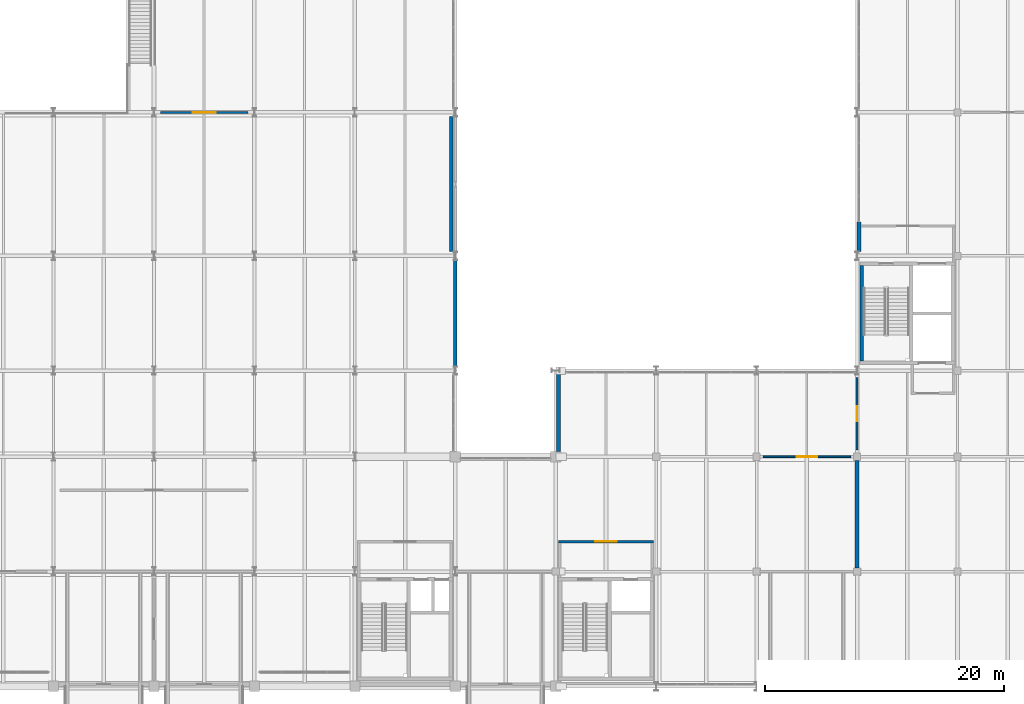
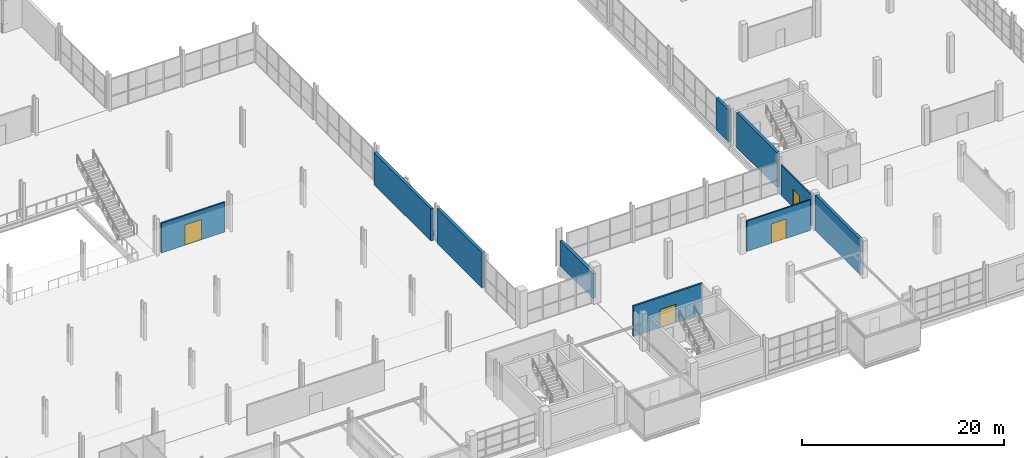
# One storey, part 101 of 113: 10 walls, 4 doors, 4 openings.
"""IFC4 building model written with IfcOpenShell, lengths in metres."""

from ifc_helpers import new_model, si_unit, direction, frame, frame_2d, origin, place, context, subcontext, project, spatial, rectangle, extrude, material, layer, layer_set, type_object, element, fill, save


model = new_model("IFC4")

# Units and contexts
model_context = context("Model", 3, precision=1e-05, world=origin(), true_north=direction((0.0, 1.0)))
body_context = subcontext(model_context, "Body", "Model", "MODEL_VIEW")
ifc_project = project(units=[si_unit("LENGTHUNIT", "METRE"), si_unit("AREAUNIT", "SQUARE_METRE"), si_unit("VOLUMEUNIT", "CUBIC_METRE"), si_unit("PLANEANGLEUNIT", "RADIAN"), si_unit("MASSUNIT", "GRAM", prefix="KILO")], contexts=[model_context])

# Site, building, storey
site_placement = place(None, origin())
site = spatial("IfcSite", under=ifc_project, at=site_placement, CompositionType="ELEMENT")
building_placement = place(site_placement, origin())
building = spatial("IfcBuilding", under=site, at=building_placement, Name="Veltarok Museum of Natural Sciences", CompositionType="ELEMENT")
storey_placement = place(building_placement, frame((0.0, 0.0, 8.39990234375)))
storey = spatial("IfcBuildingStorey", under=building, at=storey_placement, Name="L01", CompositionType="ELEMENT", Elevation=8.39990234375)

# Wall, opening, door
ifc_material_1 = material(Name="Acoustic gypsum and mineral wool")
ifc_layer_1 = layer(ifc_material_1, 0.14990234375)
ifc_layer_set_1 = layer_set([ifc_layer_1], Name="Acoustic gypsum and mineral wool")
wall_type_1 = type_object("IfcWallType", Name="Conservation Laboratory Partition 150", PredefinedType="PARTITIONING", material=ifc_layer_set_1)
wall_1_placement = place(storey_placement, frame((124.550048828125, 19.199951171875, 0.0), z_axis=(0.0, 0.0, 1.0), x_axis=(1.0, 0.0, 0.0)))
wall_1 = element("IfcWall", 1, at=wall_1_placement, inside=storey, type_object=wall_type_1, Name="Interior Partition L01-033", PredefinedType="PARTITIONING", context=body_context, shape_type="SweptSolid", body=[
    extrude(rectangle(XDim=7.300048828125, YDim=0.14990234375, at=frame_2d((3.64990234375, 0.0))), origin(), (0.0, 0.0, 1.0), 3.68212890625),
])
opening_1_placement = place(wall_1_placement, frame((2.800048828125, 0.0, 0.0)))
opening_1 = element("IfcOpeningElement", 2, at=opening_1_placement, cuts=wall_1, Name="Opening D-L01-159", PredefinedType="OPENING", context=body_context, shape_type="SweptSolid", body=[
    extrude(rectangle(XDim=1.699951171875, YDim=2.35009765625, at=frame_2d((0.85009765625, 1.175048828125))), frame((0.0, 0.0849609375, 0.0), z_axis=(0.0, -1.0, 0.0), x_axis=(1.0, 0.0, 0.0)), (0.0, 0.0, 1.0), 0.169921875),
])
ifc_material_2 = material(Name="Solid European oak and safety glass", Category="glass")
door_type_1 = type_object("IfcDoorType", Name="Gallery Interconnecting Double Door 1700x2350", OperationType="NOTDEFINED", PredefinedType="DOOR", material=ifc_material_2)
door_1_placement = place(opening_1_placement, origin())
door_1 = element("IfcDoor", 3, at=door_1_placement, inside=storey, type_object=door_type_1, Name="Interior Door D-L01-159", OperationType="DOUBLE_DOOR_SINGLE_SWING", OverallHeight=2.35009765625, OverallWidth=1.699951171875, PredefinedType="DOOR", context=body_context, shape_type="SweptSolid", body=[
    extrude(rectangle(XDim=1.699951171875, YDim=2.35009765625, at=frame_2d((0.85009765625, 1.175048828125))), frame((0.0, 0.02490234375, 0.0), z_axis=(0.0, -1.0, 0.0), x_axis=(1.0, 0.0, 0.0)), (0.0, 0.0, 1.0), 0.050048828125),
])
fill(opening_1, door_1)

wall_2_placement = place(storey_placement, frame((132.39990234375, 19.75, 0.0), z_axis=(0.0, 0.0, 1.0), x_axis=(0.0, 1.0, 0.0)))
wall_2 = element("IfcWall", 4, at=wall_2_placement, inside=storey, type_object=wall_type_1, Name="Interior Partition L01-035", PredefinedType="PARTITIONING", context=body_context, shape_type="SweptSolid", body=[
    extrude(rectangle(XDim=6.10009765625, YDim=0.14990234375, at=frame_2d((3.050048828125, 0.0))), origin(), (0.0, 0.0, 1.0), 3.68212890625),
])
opening_2_placement = place(wall_2_placement, frame((2.425048828125, 0.0, 0.0)))
opening_2 = element("IfcOpeningElement", 5, at=opening_2_placement, cuts=wall_2, Name="Opening D-L01-161", PredefinedType="OPENING", context=body_context, shape_type="SweptSolid", body=[
    extrude(rectangle(XDim=1.25, YDim=2.199951171875, at=frame_2d((0.625, 1.10009765625))), frame((0.0, 0.0849609375, 0.0), z_axis=(0.0, -1.0, 0.0), x_axis=(1.0, 0.0, 0.0)), (0.0, 0.0, 1.0), 0.169921875),
])
ifc_material_3 = material(Name="HPL laboratory acoustic door")
door_type_2 = type_object("IfcDoorType", Name="Laboratory Leaf-and-Half Door 1250x2200", OperationType="NOTDEFINED", PredefinedType="DOOR", material=ifc_material_3)
door_2_placement = place(opening_2_placement, origin())
door_2 = element("IfcDoor", 6, at=door_2_placement, inside=storey, type_object=door_type_2, Name="Interior Door D-L01-161", OperationType="SINGLE_SWING_RIGHT", OverallHeight=2.199951171875, OverallWidth=1.25, PredefinedType="DOOR", context=body_context, shape_type="SweptSolid", body=[
    extrude(rectangle(XDim=1.25, YDim=2.199951171875, at=frame_2d((0.625, 1.10009765625))), frame((0.0, 0.02490234375, 0.0), z_axis=(0.0, -1.0, 0.0), x_axis=(1.0, 0.0, 0.0)), (0.0, 0.0, 1.0), 0.050048828125),
])
fill(opening_2, door_2)

ifc_layer_2 = layer(ifc_material_1, 0.179931640625)
ifc_layer_set_2 = layer_set([ifc_layer_2], Name="Acoustic gypsum and mineral wool")
wall_type_2 = type_object("IfcWallType", Name="Exhibition Gallery Partition 180", PredefinedType="PARTITIONING", material=ifc_layer_set_2)
wall_3_placement = place(storey_placement, frame((74.14990234375, 48.0, 0.0), z_axis=(0.0, 0.0, 1.0), x_axis=(1.0, 0.0, 0.0)))
wall_3 = element("IfcWall", 7, at=wall_3_placement, inside=storey, type_object=wall_type_2, Name="Interior Partition L01-031", PredefinedType="PARTITIONING", context=body_context, shape_type="SweptSolid", body=[
    extrude(rectangle(XDim=7.300048828125, YDim=0.179931640625, at=frame_2d((3.64990234375, 0.0))), origin(), (0.0, 0.0, 1.0), 3.592041015625),
])
opening_3_placement = place(wall_3_placement, frame((2.699951171875, 0.0, 0.0)))
opening_3 = element("IfcOpeningElement", 8, at=opening_3_placement, cuts=wall_3, Name="Opening D-L01-157", PredefinedType="OPENING", context=body_context, shape_type="SweptSolid", body=[
    extrude(rectangle(XDim=1.89990234375, YDim=2.449951171875, at=frame_2d((0.949951171875, 1.22509765625))), frame((0.0, 0.10009765625, 0.0), z_axis=(0.0, -1.0, 0.0), x_axis=(1.0, 0.0, 0.0)), (0.0, 0.0, 1.0), 0.199951171875),
])
ifc_material_4 = material(Name="Solid European oak and acoustic glass", Category="glass")
door_type_3 = type_object("IfcDoorType", Name="Exhibition Hall Double Door 1900x2450", OperationType="NOTDEFINED", PredefinedType="DOOR", material=ifc_material_4)
door_3_placement = place(opening_3_placement, origin())
door_3 = element("IfcDoor", 9, at=door_3_placement, inside=storey, type_object=door_type_3, Name="Interior Door D-L01-157", OperationType="DOUBLE_DOOR_SINGLE_SWING", OverallHeight=2.449951171875, OverallWidth=1.89990234375, PredefinedType="DOOR", context=body_context, shape_type="SweptSolid", body=[
    extrude(rectangle(XDim=1.89990234375, YDim=2.449951171875, at=frame_2d((0.949951171875, 1.22509765625))), frame((0.0, 0.02490234375, 0.0), z_axis=(0.0, -1.0, 0.0), x_axis=(1.0, 0.0, 0.0)), (0.0, 0.0, 1.0), 0.050048828125),
])
fill(opening_3, door_3)

ifc_material_5 = material(Name="Concrete C35/45", Category="concrete")
ifc_layer_3 = layer(ifc_material_5, 0.199951171875)
ifc_layer_set_3 = layer_set([ifc_layer_3], Name="Concrete C35/45")
wall_type_3 = type_object("IfcWallType", Name="Firefighting Lobby Compartment Wall 200", PredefinedType="SOLIDWALL", material=ifc_layer_set_3)
wall_4_placement = place(storey_placement, frame((107.429931640625, 12.10009765625, 0.0), z_axis=(0.0, 0.0, 1.0), x_axis=(1.0, 0.0, 0.0)))
wall_4 = element("IfcWall", 10, at=wall_4_placement, inside=storey, type_object=wall_type_3, Name="Firefighting Lobby Wall C4 L01 N", PredefinedType="SOLIDWALL", context=body_context, shape_type="SweptSolid", body=[
    extrude(rectangle(XDim=7.940185546875, YDim=0.199951171875, at=frame_2d((3.97021484375, 0.0))), origin(), (0.0, 0.0, 1.0), 3.68212890625),
])
opening_4_placement = place(wall_4_placement, frame((3.070068359375, 0.0, 0.0)))
opening_4 = element("IfcOpeningElement", 11, at=opening_4_placement, cuts=wall_4, Name="Opening D-L01-031", PredefinedType="OPENING", context=body_context, shape_type="SweptSolid", body=[
    extrude(rectangle(XDim=1.800048828125, YDim=2.199951171875, at=frame_2d((0.89990234375, 1.10009765625))), frame((0.0, 0.10986328125, 0.0), z_axis=(0.0, -1.0, 0.0), x_axis=(1.0, 0.0, 0.0)), (0.0, 0.0, 1.0), 0.219970703125),
])
ifc_material_6 = material(Name="Fire-rated steel and vision glass", Category="steel")
door_type_4 = type_object("IfcDoorType", Name="Fire Lobby Double Door 1800x2200", OperationType="NOTDEFINED", PredefinedType="DOOR", material=ifc_material_6)
door_4_placement = place(opening_4_placement, origin())
door_4 = element("IfcDoor", 12, at=door_4_placement, inside=storey, type_object=door_type_4, Name="Firefighting Lobby Entrance Door C4 L01", OperationType="DOUBLE_DOOR_SINGLE_SWING", OverallHeight=2.199951171875, OverallWidth=1.800048828125, PredefinedType="DOOR", context=body_context, shape_type="SweptSolid", body=[
    extrude(rectangle(XDim=1.800048828125, YDim=2.199951171875, at=frame_2d((0.89990234375, 1.10009765625))), frame((0.0, 0.02490234375, 0.0), z_axis=(0.0, -1.0, 0.0), x_axis=(1.0, 0.0, 0.0)), (0.0, 0.0, 1.0), 0.050048828125),
])
fill(opening_4, door_4)

# Walls
ifc_material_7 = material(Name="Precast concrete C40/50", Category="concrete")
ifc_layer_4 = layer(ifc_material_7, 0.320068359375)
ifc_layer_set_4 = layer_set([ifc_layer_4], Name="Precast concrete C40/50")
wall_type_4 = type_object("IfcWallType", Name="Insulated Precast Facade Wall 320", PredefinedType="SOLIDWALL", material=ifc_layer_set_4)
wall_5_placement = place(storey_placement, frame((132.56005859375, 38.85009765625, 0.0), z_axis=(0.0, 0.0, 1.0), x_axis=(0.0, -1.0, 0.0)))
element("IfcWall", 13, at=wall_5_placement, inside=storey, type_object=wall_type_4, Name="Core C5 West Courtyard Wall L01", PredefinedType="SOLIDWALL", context=body_context, shape_type="SweptSolid", body=[
    extrude(rectangle(XDim=2.5, YDim=0.320068359375, at=frame_2d((1.25, 0.0))), origin(), (0.0, 0.0, 1.0), 3.880126953125),
])
wall_6_placement = place(storey_placement, frame((107.419921875, 26.25, 0.0), z_axis=(0.0, 0.0, 1.0), x_axis=(0.0, -1.0, 0.0)))
element("IfcWall", 14, at=wall_6_placement, inside=storey, type_object=wall_type_4, Name="V5 Courtyard West End Wall L01 13/C-D", PredefinedType="SOLIDWALL", context=body_context, shape_type="SweptSolid", body=[
    extrude(rectangle(XDim=6.60009765625, YDim=0.320068359375, at=frame_2d((3.300048828125, 0.0))), origin(), (0.0, 0.0, 1.0), 3.031982421875),
])
wall_7_placement = place(storey_placement, frame((98.4599609375, 36.35009765625, 0.0), z_axis=(0.0, 0.0, 1.0), x_axis=(0.0, 1.0, 0.0)))
element("IfcWall", 15, at=wall_7_placement, inside=storey, type_object=wall_type_4, Name="Central Hall Braced Bay Backup Wall L01 12/E-F", PredefinedType="SOLIDWALL", context=body_context, shape_type="SweptSolid", body=[
    extrude(rectangle(XDim=11.2998046875, YDim=0.320068359375, at=frame_2d((5.64990234375, 0.0))), origin(), (0.0, 0.0, 1.0), 3.880126953125),
])
ifc_material_8 = material(Name="Concrete C40/50", Category="concrete")
ifc_layer_5 = layer(ifc_material_8, 0.320068359375)
ifc_layer_set_5 = layer_set([ifc_layer_5], Name="Concrete C40/50")
wall_type_5 = type_object("IfcWallType", Name="Interior Lateral Concrete Shear Wall 320", PredefinedType="SHEAR", material=ifc_layer_set_5)
wall_8_placement = place(storey_placement, frame((98.800048828125, 26.75, 0.0), z_axis=(0.0, 0.0, 1.0), x_axis=(0.0, 1.0, 0.0)))
element("IfcWall", 16, at=wall_8_placement, inside=storey, type_object=wall_type_5, Name="Interior Shear Wall SW1 L01", PredefinedType="SHEAR", context=body_context, shape_type="SweptSolid", body=[
    extrude(rectangle(XDim=8.89990234375, YDim=0.320068359375, at=frame_2d((4.449951171875, 0.0))), origin(), (0.0, 0.0, 1.0), 4.25),
])
wall_9_placement = place(storey_placement, frame((132.39990234375, 9.89990234375, 0.0), z_axis=(0.0, 0.0, 1.0), x_axis=(0.0, 1.0, 0.0)))
element("IfcWall", 17, at=wall_9_placement, inside=storey, type_object=wall_type_5, Name="Interior Shear Wall SW2 L01", PredefinedType="SHEAR", context=body_context, shape_type="SweptSolid", body=[
    extrude(rectangle(XDim=9.0, YDim=0.320068359375, at=frame_2d((4.5, 0.0))), origin(), (0.0, 0.0, 1.0), 4.25),
])
ifc_layer_6 = layer(ifc_material_8, 0.300048828125)
ifc_layer_set_6 = layer_set([ifc_layer_6], Name="Concrete C40/50")
wall_type_6 = type_object("IfcWallType", Name="Protected Core Shear Wall 300", PredefinedType="SHEAR", material=ifc_layer_set_6)
wall_10_placement = place(storey_placement, frame((132.780029296875, 35.199951171875, 0.0), z_axis=(0.0, 0.0, 1.0), x_axis=(0.0, -1.0, 0.0)))
element("IfcWall", 18, at=wall_10_placement, inside=storey, type_object=wall_type_6, Name="Core Shear Wall C5 L01 W", PredefinedType="SHEAR", context=body_context, shape_type="SweptSolid", body=[
    extrude(rectangle(XDim=8.0, YDim=0.300048828125, at=frame_2d((4.0, 0.0))), origin(), (0.0, 0.0, 1.0), 4.25),
])

save(model, "model.ifc")
